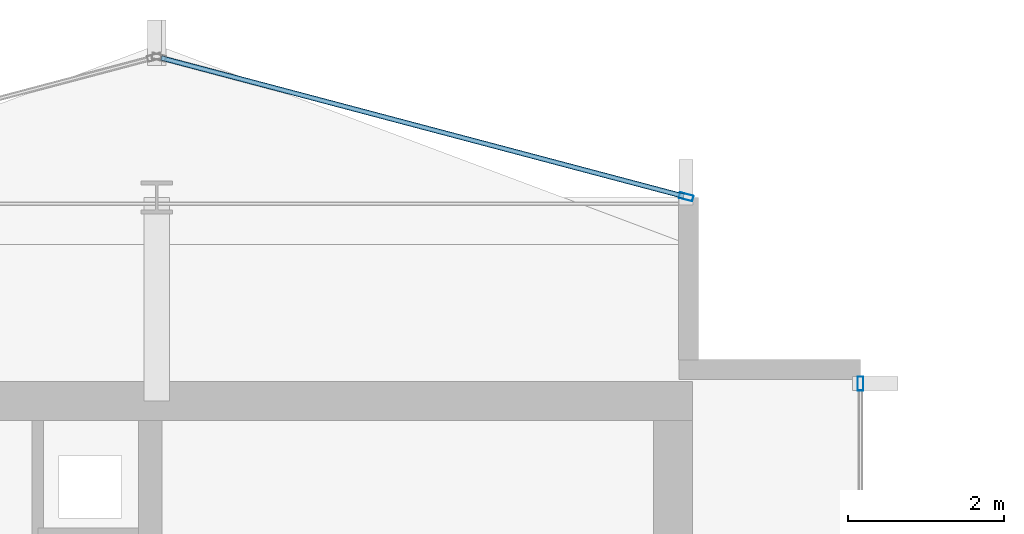
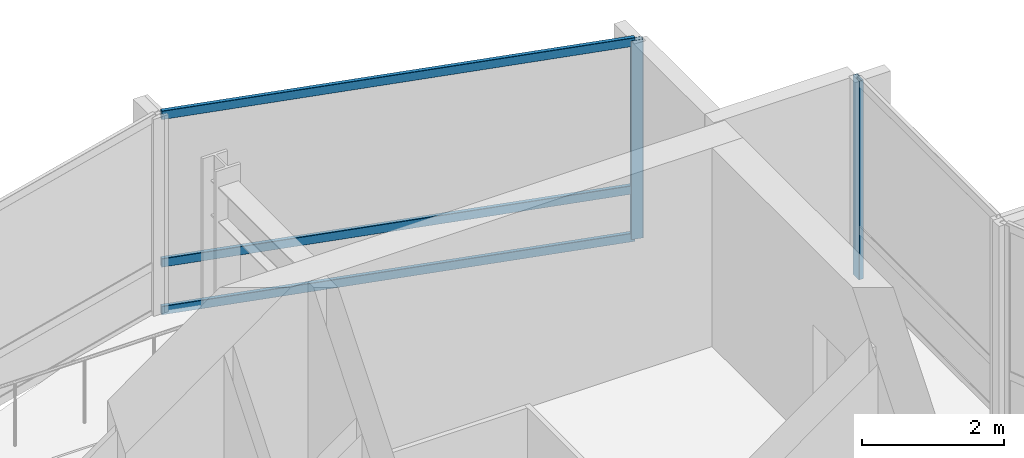
# One storey, part 18 of 27: 5 members, 2 elements without a shape of their own.
"""IFC4 building model written with IfcOpenShell, lengths in metres."""

from ifc_helpers import new_model, si_unit, direction, frame, origin, origin_2d, place, context, subcontext, project, spatial, hollow_rectangle, extrude, material, layer, layer_set, material_profile, profile_set, type_object, element, aggregate, save


model = new_model("IFC4")

# Units and contexts
model_context = context("Model", 3, precision=1e-05, world=origin(), true_north=direction((0.0, 1.0)))
body_context = subcontext(model_context, "Body", "Model", "MODEL_VIEW")
ifc_project = project(units=[si_unit("LENGTHUNIT", "METRE"), si_unit("AREAUNIT", "SQUARE_METRE"), si_unit("VOLUMEUNIT", "CUBIC_METRE"), si_unit("PLANEANGLEUNIT", "RADIAN"), si_unit("MASSUNIT", "GRAM", prefix="KILO")], contexts=[model_context])

# Site, building, storey
site_placement = place(None, origin())
site = spatial("IfcSite", under=ifc_project, at=site_placement, CompositionType="ELEMENT")
building_placement = place(site_placement, origin())
building = spatial("IfcBuilding", under=site, at=building_placement, Name="Solvaryn Broadcast Tower", CompositionType="ELEMENT")
storey_placement = place(building_placement, frame((0.0, 0.0, 177.89990234375)))
storey = spatial("IfcBuildingStorey", under=building, at=storey_placement, Name="L44", CompositionType="ELEMENT", Elevation=177.89990234375)

# Curtain wall, member
ifc_material_1 = material(Name="Aluminium and Terracotta Unitised Curtain Wall", Category="masonry")
ifc_layer = layer(ifc_material_1, 0.199951171875)
ifc_layer_set = layer_set([ifc_layer], Name="CW-SYS2-LOWMID")
curtain_wall_type = type_object("IfcCurtainWallType", Name="CW-SYS2-LOWMID", PredefinedType="NOTDEFINED", material=ifc_layer_set)
curtain_wall_1_placement = place(storey_placement, origin())
curtain_wall_1 = element("IfcCurtainWall", 1, at=curtain_wall_1_placement, inside=storey, type_object=curtain_wall_type, Name="L44 Curtain Wall IV", PredefinedType="NOTDEFINED")
ifc_material_2 = material(Name="Anodised Aluminium 6063-T6", Category="aluminium")
ifc_material_profile_1 = material_profile(ifc_material_2, hollow_rectangle(XDim=0.074951171875, YDim=0.179931640625, WallThickness=0.00390625, InnerFilletRadius=0.00390625, OuterFilletRadius=0.008056640625, at=origin_2d()))
ifc_profile_set_1 = profile_set([ifc_material_profile_1], Name="Anodised Aluminium 6063-T6")
member_type_1 = type_object("IfcMemberType", Name="CW-MUL-180", PredefinedType="MULLION", material=ifc_profile_set_1)
member_1_placement = place(storey_placement, frame((27.0, 42.6201171875, 0.0), z_axis=(0.0, 0.0, 1.0), x_axis=(1.0, 0.0, 0.0)))
member_1 = element("IfcMember", 2, at=member_1_placement, type_object=member_type_1, Name="CWS2 mullion 1", PredefinedType="MULLION", context=body_context, shape_type="SweptSolid", body=[
    extrude(hollow_rectangle(XDim=0.074951171875, YDim=0.179931640625, WallThickness=0.00390625, InnerFilletRadius=0.00390625, OuterFilletRadius=0.008056640625, at=origin_2d()), origin(), (0.0, 0.0, 1.0), 3.420166015625),
])
aggregate(curtain_wall_1, [member_1])

# Curtain wall, members
curtain_wall_2_placement = place(storey_placement, origin())
curtain_wall_2 = element("IfcCurtainWall", 3, at=curtain_wall_2_placement, inside=storey, type_object=curtain_wall_type, Name="L44 Curtain Wall NT1", PredefinedType="NOTDEFINED")
member_2_placement = place(storey_placement, frame((24.77099609375, 45.007568359375, 0.0), z_axis=(0.0, 0.0, 1.0), x_axis=(-0.25589256031, -0.966705227863, 0.0)))
member_2 = element("IfcMember", 4, at=member_2_placement, type_object=member_type_1, Name="CWS2 mullion 1", PredefinedType="MULLION", context=body_context, shape_type="SweptSolid", body=[
    extrude(hollow_rectangle(XDim=0.074951171875, YDim=0.179931640625, WallThickness=0.00390625, InnerFilletRadius=0.00390625, OuterFilletRadius=0.008056640625, at=origin_2d()), origin(), (0.0, 0.0, 1.0), 3.420166015625),
])
ifc_material_3 = material(Name="Anodised Aluminium 6063-T6", Category="aluminium")
ifc_material_profile_2 = material_profile(ifc_material_3, hollow_rectangle(XDim=0.06494140625, YDim=0.14990234375, WallThickness=0.00390625, InnerFilletRadius=0.00390625, OuterFilletRadius=0.008056640625, at=origin_2d()))
ifc_profile_set_2 = profile_set([ifc_material_profile_2], Name="Anodised Aluminium 6063-T6")
member_type_2 = type_object("IfcMemberType", Name="CW-TRN-150", PredefinedType="USERDEFINED", material=ifc_profile_set_2)
member_3_placement = place(storey_placement, frame((24.741943359375, 45.015380859375, 0.030029296875), z_axis=(-0.966703943301, 0.255897413051, 0.0), x_axis=(-0.255897413051, -0.966703943301, 0.0)))
member_3 = element("IfcMember", 5, at=member_3_placement, type_object=member_type_2, Name="CWS2 transom 1.1", ObjectType="TRANSOM", PredefinedType="USERDEFINED", context=body_context, shape_type="SweptSolid", body=[
    extrude(hollow_rectangle(XDim=0.06494140625, YDim=0.14990234375, WallThickness=0.00390625, InnerFilletRadius=0.00390625, OuterFilletRadius=0.008056640625, at=origin_2d()), origin(), (0.0, 0.0, 1.0), 6.9140625),
])
member_4_placement = place(storey_placement, frame((24.741943359375, 45.015380859375, 0.85009765625), z_axis=(-0.966703943301, 0.255897413051, 0.0), x_axis=(-0.255897413051, -0.966703943301, 0.0)))
member_4 = element("IfcMember", 6, at=member_4_placement, type_object=member_type_2, Name="CWS2 transom 1.2", ObjectType="TRANSOM", PredefinedType="USERDEFINED", context=body_context, shape_type="SweptSolid", body=[
    extrude(hollow_rectangle(XDim=0.06494140625, YDim=0.14990234375, WallThickness=0.00390625, InnerFilletRadius=0.00390625, OuterFilletRadius=0.008056640625, at=origin_2d()), origin(), (0.0, 0.0, 1.0), 6.9140625),
])
member_5_placement = place(storey_placement, frame((24.741943359375, 45.015380859375, 3.39013671875), z_axis=(-0.966703943301, 0.255897413051, 0.0), x_axis=(-0.255897413051, -0.966703943301, 0.0)))
member_5 = element("IfcMember", 7, at=member_5_placement, type_object=member_type_2, Name="CWS2 transom 1.3", ObjectType="TRANSOM", PredefinedType="USERDEFINED", context=body_context, shape_type="SweptSolid", body=[
    extrude(hollow_rectangle(XDim=0.06494140625, YDim=0.14990234375, WallThickness=0.00390625, InnerFilletRadius=0.00390625, OuterFilletRadius=0.008056640625, at=origin_2d()), origin(), (0.0, 0.0, 1.0), 6.9140625),
])
aggregate(curtain_wall_2, [member_2, member_3, member_4, member_5])

save(model, "model.ifc")
